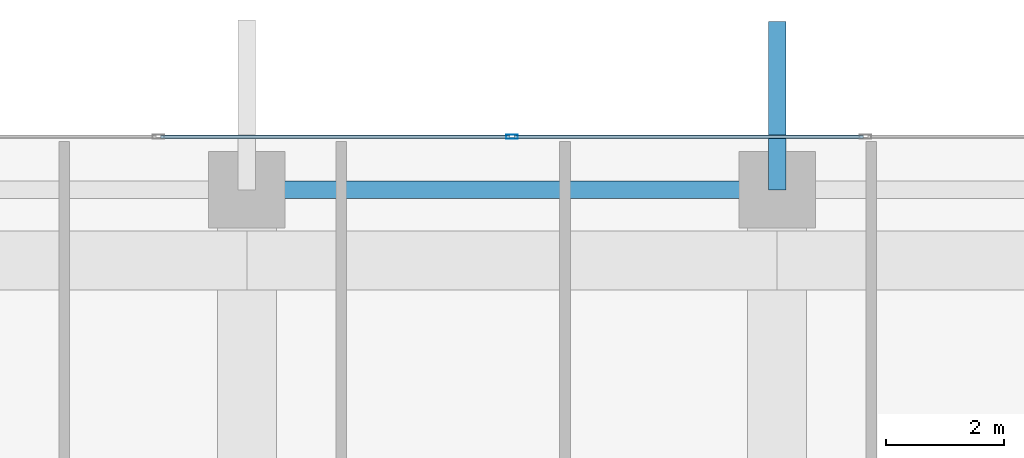
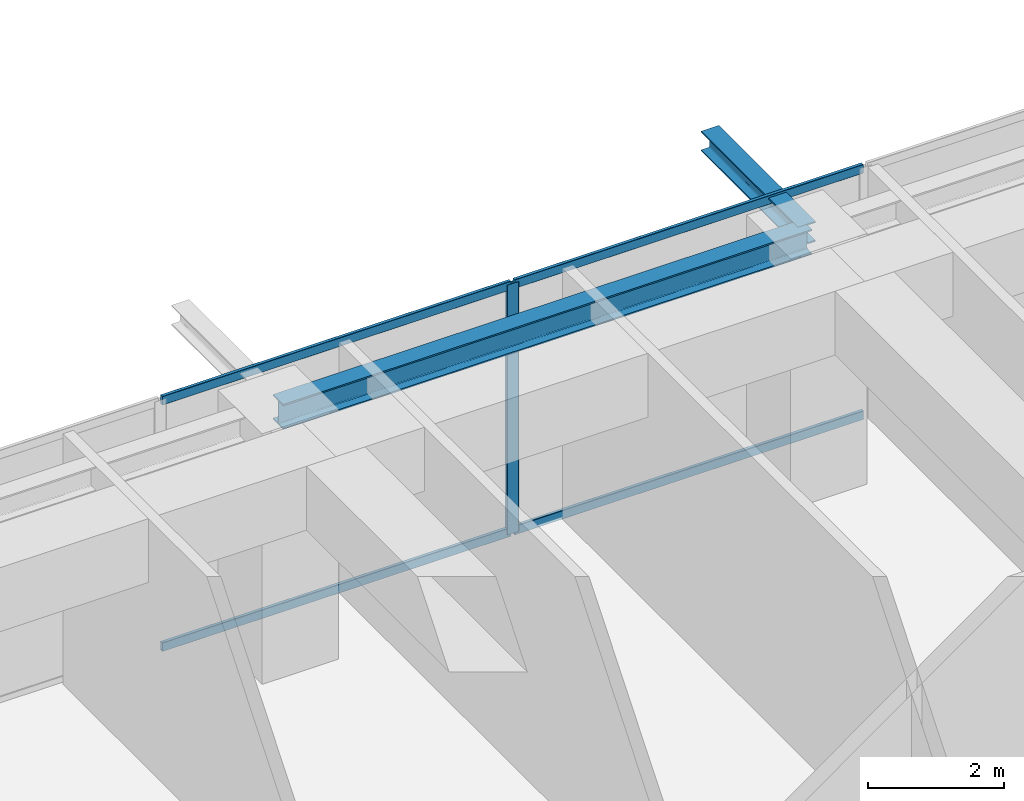
# One storey, part 23 of 35: 5 members, 2 beams, 1 element without a shape of its own.
"""IFC4 building model written with IfcOpenShell, lengths in metres."""

from ifc_helpers import new_model, si_unit, direction, frame, origin, origin_2d, place, context, subcontext, project, spatial, hollow_rectangle, i_section, extrude, source, transform, mapped, material, layer, layer_set, material_profile, profile_set, type_object, element, aggregate, save


model = new_model("IFC4")

# Units and contexts
model_context = context("Model", 3, precision=1e-05, world=origin(), true_north=direction((0.0, 1.0)))
body_context = subcontext(model_context, "Body", "Model", "MODEL_VIEW")
ifc_project = project(units=[si_unit("LENGTHUNIT", "METRE"), si_unit("AREAUNIT", "SQUARE_METRE"), si_unit("VOLUMEUNIT", "CUBIC_METRE"), si_unit("PLANEANGLEUNIT", "RADIAN"), si_unit("MASSUNIT", "GRAM", prefix="KILO")], contexts=[model_context])

# Site, building, storey
site_placement = place(None, origin())
site = spatial("IfcSite", under=ifc_project, at=site_placement, CompositionType="ELEMENT")
building_placement = place(site_placement, origin())
building = spatial("IfcBuilding", under=site, at=building_placement, Name="Serunith Strait Residences", CompositionType="ELEMENT")
storey_placement = place(building_placement, frame((0.0, 0.0, 115.199951171875)))
storey = spatial("IfcBuildingStorey", under=building, at=storey_placement, Name="L28", CompositionType="ELEMENT", Elevation=115.199951171875)

# Beams
ifc_material_1 = material(Name="Steel S355J2", Category="steel")
ifc_material_profile_1 = material_profile(ifc_material_1, i_section(OverallWidth=0.300048828125, OverallDepth=0.449951171875, WebThickness=0.013916015625, FlangeThickness=0.02587890625, FilletRadius=0.027099609375, at=origin_2d()), Name="HEB 450")
ifc_profile_set_1 = profile_set([ifc_material_profile_1], Name="Steel S355J2")
beam_type_1 = type_object("IfcBeamType", Name="BM-HEB450", PredefinedType="BEAM", material=ifc_profile_set_1)
shared_shape_1 = source(origin(), body_context, "Body", "SweptSolid", [
    extrude(i_section(OverallWidth=0.300048828125, OverallDepth=0.449951171875, WebThickness=0.013916015625, FlangeThickness=0.02587890625, FilletRadius=0.027099609375, at=origin_2d()), origin(), (0.0, 0.0, 1.0), 9.0),
])
beam_1_placement = place(storey_placement, frame((36.89990234375, 49.300048828125, 4.281982421875), z_axis=(-1.0, 0.0, 0.0), x_axis=(0.0, -1.0, 0.0)))
element("IfcBeam", 1, at=beam_1_placement, inside=storey, type_object=beam_type_1, Name="L28 Perimeter Ring Beam 10", PredefinedType="BEAM", context=body_context, shape_type="MappedRepresentation", body=[
    mapped(shared_shape_1, transform((0.0, 0.0, 0.0), scale=1.0)),
])
ifc_material_profile_2 = material_profile(ifc_material_1, i_section(OverallWidth=0.300048828125, OverallDepth=0.360107421875, WebThickness=0.012451171875, FlangeThickness=0.0224609375, FilletRadius=0.027099609375, at=origin_2d()), Name="HEB 360")
ifc_profile_set_2 = profile_set([ifc_material_profile_2], Name="Steel S355J2")
beam_type_2 = type_object("IfcBeamType", Name="BM-HEB360", PredefinedType="BEAM", material=ifc_profile_set_2)
shared_shape_2 = source(origin(), body_context, "Body", "SweptSolid", [
    extrude(i_section(OverallWidth=0.300048828125, OverallDepth=0.360107421875, WebThickness=0.012451171875, FlangeThickness=0.0224609375, FilletRadius=0.027099609375, at=origin_2d()), origin(), (0.0, 0.0, 1.0), 2.854248046875),
])
beam_2_placement = place(storey_placement, frame((36.89990234375, 49.300048828125, 4.3271484375), z_axis=(0.0, 1.0, 0.0), x_axis=(-1.0, 0.0, 0.0)))
element("IfcBeam", 2, at=beam_2_placement, inside=storey, type_object=beam_type_2, Name="L29 Cantilevered Balcony Rib TC-N3", PredefinedType="BEAM", context=body_context, shape_type="MappedRepresentation", body=[
    mapped(shared_shape_2, transform((0.0, 0.0, 0.0), scale=1.0)),
])

# Curtain wall, members
ifc_material_2 = material(Name="Pale-Champagne Anodised Aluminium", Category="aluminium")
ifc_layer = layer(ifc_material_2, 0.199951171875, Name="Pale-Champagne Anodised Aluminium")
ifc_layer_set = layer_set([ifc_layer], Name="Pale-Champagne Anodised Aluminium")
curtain_wall_type = type_object("IfcCurtainWallType", Name="CW-SYS1", PredefinedType="NOTDEFINED", material=ifc_layer_set)
curtain_wall_placement = place(storey_placement, origin())
curtain_wall = element("IfcCurtainWall", 3, at=curtain_wall_placement, inside=storey, type_object=curtain_wall_type, Name="L28 N Unitised Fritted Curtain Wall", PredefinedType="NOTDEFINED")
ifc_material_profile_3 = material_profile(ifc_material_2, hollow_rectangle(XDim=0.06005859375, YDim=0.159912109375, WallThickness=0.00341796875, InnerFilletRadius=0.00537109375, OuterFilletRadius=0.0087890625, at=origin_2d()), Name="ALU 160x60x3.5")
ifc_profile_set_3 = profile_set([ifc_material_profile_3], Name="Pale-Champagne Anodised Aluminium")
member_type_1 = type_object("IfcMemberType", Name="CW-SYS1-TRAN", PredefinedType="USERDEFINED", material=ifc_profile_set_3)
shared_shape_3 = source(origin(), body_context, "Body", "SweptSolid", [
    extrude(hollow_rectangle(XDim=0.06005859375, YDim=0.159912109375, WallThickness=0.00341796875, InnerFilletRadius=0.00537109375, OuterFilletRadius=0.0087890625, at=origin_2d()), origin(), (0.0, 0.0, 1.0), 5.929931640625),
])
member_1_placement = place(storey_placement, frame((38.364990234375, 50.199951171875, 0.030029296875), z_axis=(-1.0, 0.0, 0.0), x_axis=(0.0, -1.0, 0.0)))
member_1 = element("IfcMember", 4, at=member_1_placement, type_object=member_type_1, Name="CW-1 transom 3.1", ObjectType="TRANSOM", PredefinedType="USERDEFINED", context=body_context, shape_type="MappedRepresentation", body=[
    mapped(shared_shape_3, transform((0.0, 0.0, 0.0), scale=1.0)),
])
member_2_placement = place(storey_placement, frame((38.364990234375, 50.199951171875, 4.465087890625), z_axis=(-1.0, 0.0, 0.0), x_axis=(0.0, -1.0, 0.0)))
member_2 = element("IfcMember", 5, at=member_2_placement, type_object=member_type_1, Name="CW-1 transom 3.2", ObjectType="TRANSOM", PredefinedType="USERDEFINED", context=body_context, shape_type="MappedRepresentation", body=[
    mapped(shared_shape_3, transform((0.0, 0.0, 0.0), scale=1.0)),
])
member_3_placement = place(storey_placement, frame((32.364990234375, 50.199951171875, 0.030029296875), z_axis=(-1.0, 0.0, 0.0), x_axis=(0.0, -1.0, 0.0)))
member_3 = element("IfcMember", 6, at=member_3_placement, type_object=member_type_1, Name="CW-1 transom 4.1", ObjectType="TRANSOM", PredefinedType="USERDEFINED", context=body_context, shape_type="MappedRepresentation", body=[
    mapped(shared_shape_3, transform((0.0, 0.0, 0.0), scale=1.0)),
])
member_4_placement = place(storey_placement, frame((32.364990234375, 50.199951171875, 4.465087890625), z_axis=(-1.0, 0.0, 0.0), x_axis=(0.0, -1.0, 0.0)))
member_4 = element("IfcMember", 7, at=member_4_placement, type_object=member_type_1, Name="CW-1 transom 4.2", ObjectType="TRANSOM", PredefinedType="USERDEFINED", context=body_context, shape_type="MappedRepresentation", body=[
    mapped(shared_shape_3, transform((0.0, 0.0, 0.0), scale=1.0)),
])
ifc_material_profile_4 = material_profile(ifc_material_2, hollow_rectangle(XDim=0.070068359375, YDim=0.199951171875, WallThickness=0.00390625, InnerFilletRadius=0.006103515625, OuterFilletRadius=0.010009765625, at=origin_2d()), Name="ALU 200x70x4")
ifc_profile_set_4 = profile_set([ifc_material_profile_4], Name="Pale-Champagne Anodised Aluminium")
member_type_2 = type_object("IfcMemberType", Name="CW-SYS1-MULL", PredefinedType="MULLION", material=ifc_profile_set_4)
shared_shape_4 = source(origin(), body_context, "Body", "SweptSolid", [
    extrude(hollow_rectangle(XDim=0.070068359375, YDim=0.199951171875, WallThickness=0.00390625, InnerFilletRadius=0.006103515625, OuterFilletRadius=0.010009765625, at=origin_2d()), origin(), (0.0, 0.0, 1.0), 4.4951171875),
])
member_5_placement = place(storey_placement, frame((32.39990234375, 50.199951171875, 0.0), z_axis=(0.0, 0.0, 1.0), x_axis=(0.0, -1.0, 0.0)))
member_5 = element("IfcMember", 8, at=member_5_placement, type_object=member_type_2, Name="CW-1 mullion 4", PredefinedType="MULLION", context=body_context, shape_type="MappedRepresentation", body=[
    mapped(shared_shape_4, transform((0.0, 0.0, 0.0), scale=1.0)),
])
aggregate(curtain_wall, [member_5, member_1, member_2, member_3, member_4])

save(model, "model.ifc")
